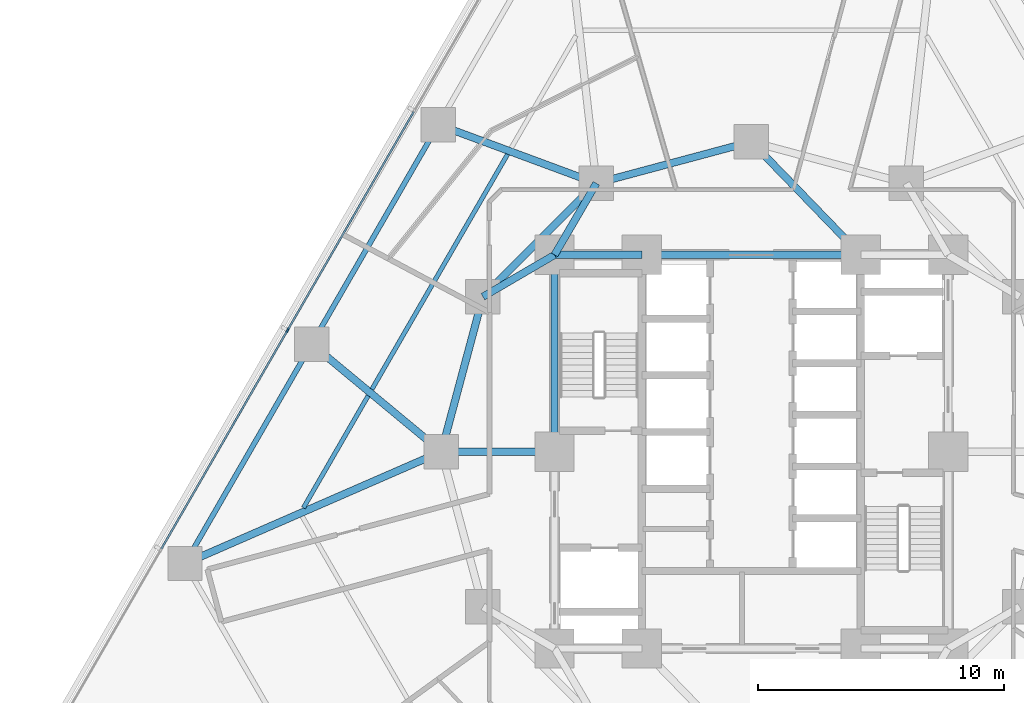
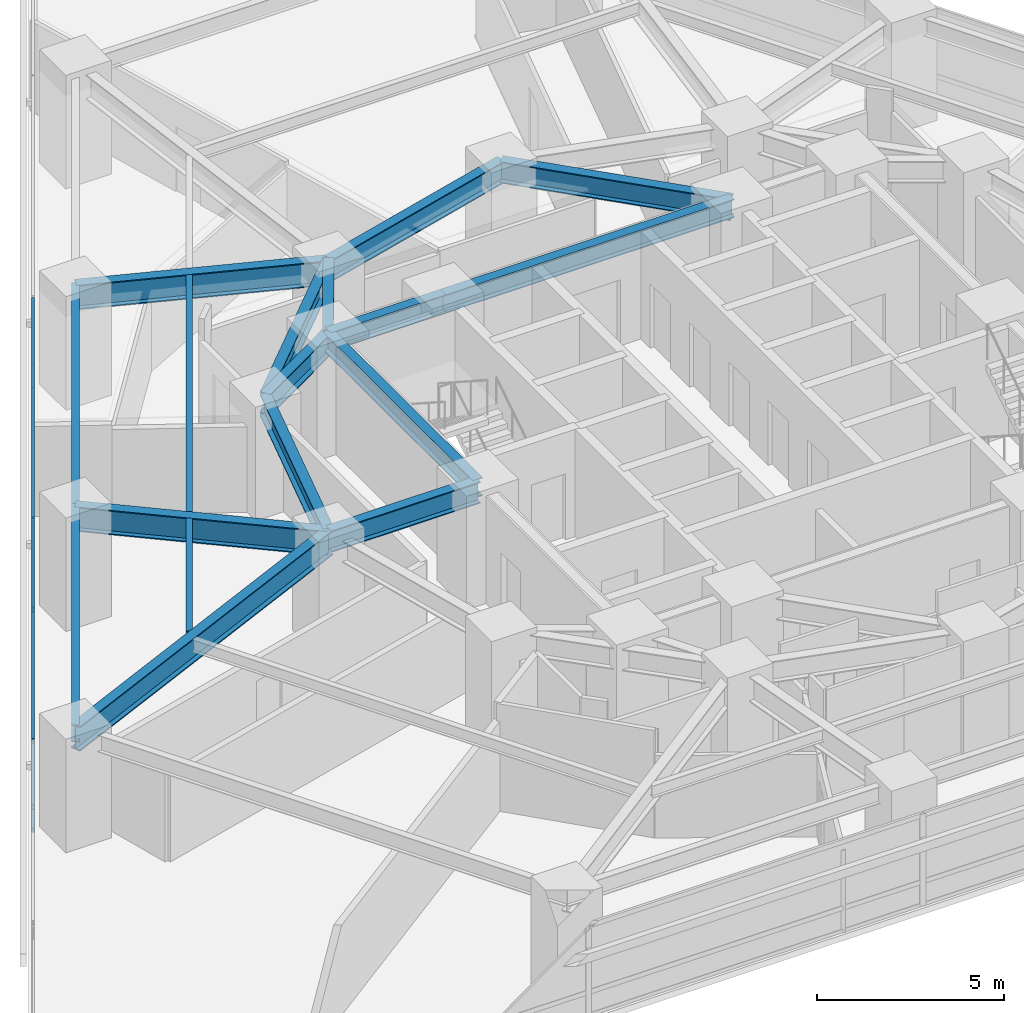
# One storey, part 3 of 16: 17 beams, 7 members, 1 element without a shape of its own.
"""IFC4 building model written with IfcOpenShell, lengths in metres."""

from ifc_helpers import new_model, si_unit, direction, frame, origin, origin_2d, place, context, subcontext, project, spatial, rectangle, i_section, extrude, material, layer, layer_set, material_profile, profile_set, type_object, element, aggregate, save


model = new_model("IFC4")

# Units and contexts
model_context = context("Model", 3, precision=1e-05, world=origin(), true_north=direction((0.0, 1.0)))
body_context = subcontext(model_context, "Body", "Model", "MODEL_VIEW")
ifc_project = project(units=[si_unit("LENGTHUNIT", "METRE"), si_unit("AREAUNIT", "SQUARE_METRE"), si_unit("VOLUMEUNIT", "CUBIC_METRE"), si_unit("PLANEANGLEUNIT", "RADIAN"), si_unit("MASSUNIT", "GRAM", prefix="KILO")], contexts=[model_context])

# Site, building, storey
site_placement = place(None, origin())
site = spatial("IfcSite", under=ifc_project, at=site_placement, CompositionType="ELEMENT")
building_placement = place(site_placement, origin())
building = spatial("IfcBuilding", under=site, at=building_placement, Name="Terralouvre Media Tower", CompositionType="ELEMENT")
storey_placement = place(building_placement, frame((0.0, 0.0, 37.10009765625)))
storey = spatial("IfcBuildingStorey", under=building, at=storey_placement, Name="L08", CompositionType="ELEMENT", Elevation=37.10009765625)

# Beams
ifc_material_1 = material(Name="Structural steel S355J2", Category="steel")
ifc_material_profile_1 = material_profile(ifc_material_1, i_section(OverallWidth=0.179931640625, OverallDepth=0.39990234375, WebThickness=0.008544921875, FlangeThickness=0.013427734375, at=origin_2d()), Name="IPE 400")
ifc_profile_set_1 = profile_set([ifc_material_profile_1], Name="Structural steel S355J2")
beam_type_1 = type_object("IfcBeamType", Name="Composite Floor Joist J-IPE400 (IPE 400)", PredefinedType="JOIST", material=ifc_profile_set_1)
beam_1_placement = place(storey_placement, frame((-9.90869140625, 12.091796875, 3.2998046875), z_axis=(-0.499996323086, -0.866027526641, 0.0), x_axis=(0.866027526641, -0.499996323086, 0.0)))
element("IfcBeam", 1, at=beam_1_placement, inside=storey, type_object=beam_type_1, Name="L08 Framing Beam JT-L08-11", PredefinedType="JOIST", context=body_context, shape_type="SweptSolid", body=[
    extrude(i_section(OverallWidth=0.179931640625, OverallDepth=0.39990234375, WebThickness=0.008544921875, FlangeThickness=0.013427734375, at=origin_2d()), origin(), (0.0, 0.0, 1.0), 11.03466796875),
])
beam_2_placement = place(storey_placement, frame((-15.576171875, 2.275390625, 3.2998046875), z_axis=(-0.500019514865, -0.866014136579, 0.0), x_axis=(0.866014136579, -0.500019514865, 0.0)))
element("IfcBeam", 2, at=beam_2_placement, inside=storey, type_object=beam_type_1, Name="L08 Framing Beam JT-L08-12", PredefinedType="JOIST", context=body_context, shape_type="SweptSolid", body=[
    extrude(i_section(OverallWidth=0.179931640625, OverallDepth=0.39990234375, WebThickness=0.008544921875, FlangeThickness=0.013427734375, at=origin_2d()), origin(), (0.0, 0.0, 1.0), 5.264404296875),
])

# Curtain wall, members
ifc_material_2 = material(Name="Low-iron laminated double glazing with solar-control coating", Category="glass")
ifc_layer = layer(ifc_material_2, 0.1650390625, Name="Lower Media Tower Unitised Curtain Wall CW-02")
ifc_layer_set = layer_set([ifc_layer], Name="Low-iron laminated double glazing with solar-control coating")
curtain_wall_type = type_object("IfcCurtainWallType", Name="Lower Media Tower Unitised Curtain Wall CW-02", PredefinedType="NOTDEFINED", material=ifc_layer_set)
curtain_wall_placement = place(storey_placement, origin())
curtain_wall = element("IfcCurtainWall", 3, at=curtain_wall_placement, inside=storey, type_object=curtain_wall_type, Name="L08 Facade Curtain Wall F2", PredefinedType="NOTDEFINED")
ifc_material_3 = material(Name="Anodised extruded aluminium 6063-T6", Category="aluminium")
ifc_material_profile_2 = material_profile(ifc_material_3, rectangle(XDim=0.074951171875, YDim=0.14990234375, at=origin_2d()), Name="ALU 75x150")
ifc_profile_set_2 = profile_set([ifc_material_profile_2], Name="Anodised extruded aluminium 6063-T6")
member_type_1 = type_object("IfcMemberType", Name="Curtain-Wall Horizontal Transom TR-150", PredefinedType="USERDEFINED", material=ifc_profile_set_2)
member_1_placement = place(storey_placement, frame((-13.72216796875, 13.825927734375, 0.037353515625), z_axis=(-0.50000905659, -0.866020174897, 0.0), x_axis=(0.866020174897, -0.50000905659, 0.0)))
member_1 = element("IfcMember", 4, at=member_1_placement, type_object=member_type_1, Name="CW-02 transom 3.1", ObjectType="TRANSOM", PredefinedType="USERDEFINED", context=body_context, shape_type="SweptSolid", body=[
    extrude(rectangle(XDim=0.074951171875, YDim=0.14990234375, at=origin_2d()), origin(), (0.0, 0.0, 1.0), 10.224853515625),
])
member_2_placement = place(storey_placement, frame((-13.72216796875, 13.825927734375, 0.7998046875), z_axis=(-0.50000905659, -0.866020174897, 0.0), x_axis=(0.866020174897, -0.50000905659, 0.0)))
member_2 = element("IfcMember", 5, at=member_2_placement, type_object=member_type_1, Name="CW-02 transom 3.2", ObjectType="TRANSOM", PredefinedType="USERDEFINED", context=body_context, shape_type="SweptSolid", body=[
    extrude(rectangle(XDim=0.074951171875, YDim=0.14990234375, at=origin_2d()), origin(), (0.0, 0.0, 1.0), 10.224853515625),
])
member_3_placement = place(storey_placement, frame((-13.72216796875, 13.825927734375, 2.96240234375), z_axis=(-0.50000905659, -0.866020174897, 0.0), x_axis=(0.866020174897, -0.50000905659, 0.0)))
member_3 = element("IfcMember", 6, at=member_3_placement, type_object=member_type_1, Name="CW-02 transom 3.3", ObjectType="TRANSOM", PredefinedType="USERDEFINED", context=body_context, shape_type="SweptSolid", body=[
    extrude(rectangle(XDim=0.074951171875, YDim=0.14990234375, at=origin_2d()), origin(), (0.0, 0.0, 1.0), 10.224853515625),
])
member_4_placement = place(storey_placement, frame((-18.872314453125, 4.90576171875, 0.037353515625), z_axis=(-0.499991148707, -0.866030514021, 0.0), x_axis=(0.866030514021, -0.499991148707, 0.0)))
member_4 = element("IfcMember", 7, at=member_4_placement, type_object=member_type_1, Name="CW-02 transom 4.1", ObjectType="TRANSOM", PredefinedType="USERDEFINED", context=body_context, shape_type="SweptSolid", body=[
    extrude(rectangle(XDim=0.074951171875, YDim=0.14990234375, at=origin_2d()), origin(), (0.0, 0.0, 1.0), 10.224853515625),
])
member_5_placement = place(storey_placement, frame((-18.872314453125, 4.90576171875, 0.7998046875), z_axis=(-0.499991148707, -0.866030514021, 0.0), x_axis=(0.866030514021, -0.499991148707, 0.0)))
member_5 = element("IfcMember", 8, at=member_5_placement, type_object=member_type_1, Name="CW-02 transom 4.2", ObjectType="TRANSOM", PredefinedType="USERDEFINED", context=body_context, shape_type="SweptSolid", body=[
    extrude(rectangle(XDim=0.074951171875, YDim=0.14990234375, at=origin_2d()), origin(), (0.0, 0.0, 1.0), 10.224853515625),
])
member_6_placement = place(storey_placement, frame((-18.872314453125, 4.90576171875, 2.96240234375), z_axis=(-0.499991148707, -0.866030514021, 0.0), x_axis=(0.866030514021, -0.499991148707, 0.0)))
member_6 = element("IfcMember", 9, at=member_6_placement, type_object=member_type_1, Name="CW-02 transom 4.3", ObjectType="TRANSOM", PredefinedType="USERDEFINED", context=body_context, shape_type="SweptSolid", body=[
    extrude(rectangle(XDim=0.074951171875, YDim=0.14990234375, at=origin_2d()), origin(), (0.0, 0.0, 1.0), 10.224853515625),
])
ifc_material_4 = material(Name="Anodised extruded aluminium 6063-T6", Category="aluminium")
ifc_material_profile_3 = material_profile(ifc_material_4, rectangle(XDim=0.074951171875, YDim=0.179931640625, at=origin_2d()), Name="ALU 75x180")
ifc_profile_set_3 = profile_set([ifc_material_profile_3], Name="Anodised extruded aluminium 6063-T6")
member_type_2 = type_object("IfcMemberType", Name="Curtain-Wall Vertical Mullion ML-180", PredefinedType="MULLION", material=ifc_profile_set_3)
member_7_placement = place(storey_placement, frame((-18.853515625, 4.938232421875, 0.0), z_axis=(0.0, 0.0, 1.0), x_axis=(0.866025412057, -0.499999985671, 0.0)))
member_7 = element("IfcMember", 10, at=member_7_placement, type_object=member_type_2, Name="CW-02 mullion 4", PredefinedType="MULLION", context=body_context, shape_type="SweptSolid", body=[
    extrude(rectangle(XDim=0.074951171875, YDim=0.179931640625, at=origin_2d()), origin(), (0.0, 0.0, 1.0), 3.0),
])
aggregate(curtain_wall, [member_7, member_1, member_2, member_3, member_4, member_5, member_6])

# Beams
ifc_material_5 = material(Name="Structural steel S355J2", Category="steel")
ifc_material_profile_4 = material_profile(ifc_material_5, i_section(OverallWidth=0.2099609375, OverallDepth=0.550048828125, WebThickness=0.010986328125, FlangeThickness=0.01708984375, at=origin_2d()), Name="IPE 550")
ifc_profile_set_4 = profile_set([ifc_material_profile_4], Name="Structural steel S355J2")
beam_type_2 = type_object("IfcBeamType", Name="Perimeter Spandrel Beam SPB-550 (IPE 550)", PredefinedType="SPANDREL", material=ifc_profile_set_4)
for number, where, z_axis, x_axis, name in (
    (11, (-12.724853515625, 13.29345703125, 3.224853515625), (-0.49998850195, -0.866032042085, 0.0), (0.866032042085, -0.49998850195, 0.0), "L08 Framing Beam BM-L08-PR11"),
    (12, (-17.874755859375, 4.373291015625, 3.224853515625), (-0.500016542852, -0.866015852554, 0.0), (0.866015852554, -0.500016542852, 0.0), "L08 Framing Beam BM-L08-PR12"),
):
    element("IfcBeam", number, at=place(storey_placement, frame(where, z_axis=z_axis, x_axis=x_axis)), inside=storey, type_object=beam_type_2, Name=name, PredefinedType="SPANDREL", context=body_context, shape_type="SweptSolid", body=[
        extrude(i_section(OverallWidth=0.2099609375, OverallDepth=0.550048828125, WebThickness=0.010986328125, FlangeThickness=0.01708984375, at=origin_2d()), origin(), (0.0, 0.0, 1.0), 10.300048828125),
    ])
ifc_material_6 = material(Name="Structural steel S460M", Category="steel")
ifc_material_profile_5 = material_profile(ifc_material_6, i_section(OverallWidth=0.300048828125, OverallDepth=0.60009765625, WebThickness=0.015380859375, FlangeThickness=0.030029296875, at=origin_2d()), Name="HEB 600")
ifc_profile_set_5 = profile_set([ifc_material_profile_5], Name="Structural steel S460M")
beam_type_3 = type_object("IfcBeamType", Name="Primary Floor Girder B-HEB600 (HEB 600)", PredefinedType="BEAM", material=ifc_profile_set_5)
beam_3_placement = place(storey_placement, frame((4.449951171875, 8.0, 3.199951171875), z_axis=(-1.0, 0.0, 0.0), x_axis=(0.0, -1.0, 0.0)))
element("IfcBeam", 13, at=beam_3_placement, inside=storey, type_object=beam_type_3, Name="L08 Framing Beam BM-L08-CPR07", PredefinedType="BEAM", context=body_context, shape_type="SweptSolid", body=[
    extrude(i_section(OverallWidth=0.300048828125, OverallDepth=0.60009765625, WebThickness=0.015380859375, FlangeThickness=0.030029296875, at=origin_2d()), origin(), (0.0, 0.0, 1.0), 8.89990234375),
])
beam_4_placement = place(storey_placement, frame((-4.449951171875, 8.0, 3.199951171875), z_axis=(-1.0, 0.0, 0.0), x_axis=(0.0, -1.0, 0.0)))
element("IfcBeam", 14, at=beam_4_placement, inside=storey, type_object=beam_type_3, Name="L08 Framing Beam BM-L08-CPR08", PredefinedType="BEAM", context=body_context, shape_type="SweptSolid", body=[
    extrude(i_section(OverallWidth=0.300048828125, OverallDepth=0.60009765625, WebThickness=0.015380859375, FlangeThickness=0.030029296875, at=origin_2d()), origin(), (0.0, 0.0, 1.0), 3.550048828125),
])
beam_5_placement = place(storey_placement, frame((-8.0, 8.0, 3.199951171875), z_axis=(0.0, -1.0, 0.0), x_axis=(1.0, 0.0, 0.0)))
element("IfcBeam", 15, at=beam_5_placement, inside=storey, type_object=beam_type_3, Name="L08 Framing Beam BM-L08-CPR09", PredefinedType="BEAM", context=body_context, shape_type="SweptSolid", body=[
    extrude(i_section(OverallWidth=0.300048828125, OverallDepth=0.60009765625, WebThickness=0.015380859375, FlangeThickness=0.030029296875, at=origin_2d()), origin(), (0.0, 0.0, 1.0), 8.0),
])
ifc_material_7 = material(Name="Structural steel S460M", Category="steel")
ifc_material_profile_6 = material_profile(ifc_material_7, i_section(OverallWidth=0.300048828125, OverallDepth=0.699951171875, WebThickness=0.01708984375, FlangeThickness=0.031982421875, at=origin_2d()), Name="HEB 700")
ifc_profile_set_6 = profile_set([ifc_material_profile_6], Name="Structural steel S460M")
beam_type_4 = type_object("IfcBeamType", Name="Primary Floor Girder B-HEB700 (HEB 700)", PredefinedType="BEAM", material=ifc_profile_set_6)
beam_6_placement = place(storey_placement, frame((0.0, 12.60009765625, 3.14990234375), z_axis=(-0.965920481897, -0.258838989821, 0.0), x_axis=(0.258838989821, -0.965920481897, 0.0)))
element("IfcBeam", 16, at=beam_6_placement, inside=storey, type_object=beam_type_4, Name="L08 Framing Beam BM-L08-MR09", PredefinedType="BEAM", context=body_context, shape_type="SweptSolid", body=[
    extrude(i_section(OverallWidth=0.300048828125, OverallDepth=0.699951171875, WebThickness=0.01708984375, FlangeThickness=0.031982421875, at=origin_2d()), origin(), (0.0, 0.0, 1.0), 6.522216796875),
])
beam_7_placement = place(storey_placement, frame((-6.300048828125, 10.911865234375, 3.14990234375), z_axis=(-0.707106781187, -0.707106781187, 0.0), x_axis=(0.707106781187, -0.707106781187, 0.0)))
element("IfcBeam", 17, at=beam_7_placement, inside=storey, type_object=beam_type_4, Name="L08 Framing Beam BM-L08-MR10", PredefinedType="BEAM", context=body_context, shape_type="SweptSolid", body=[
    extrude(i_section(OverallWidth=0.300048828125, OverallDepth=0.699951171875, WebThickness=0.01708984375, FlangeThickness=0.031982421875, at=origin_2d()), origin(), (0.0, 0.0, 1.0), 6.52197265625),
])
beam_8_placement = place(storey_placement, frame((-10.911865234375, 6.300048828125, 3.14990234375), z_axis=(-0.258838989821, -0.965920481897, 0.0), x_axis=(0.965920481897, -0.258838989821, 0.0)))
element("IfcBeam", 18, at=beam_8_placement, inside=storey, type_object=beam_type_4, Name="L08 Framing Beam BM-L08-MR11", PredefinedType="BEAM", context=body_context, shape_type="SweptSolid", body=[
    extrude(i_section(OverallWidth=0.300048828125, OverallDepth=0.699951171875, WebThickness=0.01708984375, FlangeThickness=0.031982421875, at=origin_2d()), origin(), (0.0, 0.0, 1.0), 6.522216796875),
])
beam_9_placement = place(storey_placement, frame((4.449951171875, 8.0, 3.14990234375), z_axis=(-0.695279715726, 0.718739255155, 0.0), x_axis=(-0.718739255155, -0.695279715726, 0.0)))
element("IfcBeam", 19, at=beam_9_placement, inside=storey, type_object=beam_type_4, Name="L08 Framing Beam BM-L08-CM09", PredefinedType="BEAM", context=body_context, shape_type="SweptSolid", body=[
    extrude(i_section(OverallWidth=0.300048828125, OverallDepth=0.699951171875, WebThickness=0.01708984375, FlangeThickness=0.031982421875, at=origin_2d()), origin(), (0.0, 0.0, 1.0), 6.400146484375),
])
for number, where, z_axis, x_axis, name in (
    (20, (-8.0, 8.0, 3.14990234375), (0.504172629717, 0.863602894532, 0.0), (-0.863602894532, 0.504172629717, 0.0), "L08 Framing Beam BM-L08-CM10"),
    (21, (-8.0, 8.0, 3.14990234375), (-0.863602894532, -0.504172629717, 0.0), (0.504172629717, -0.863602894532, 0.0), "L08 Framing Beam BM-L08-CM11"),
):
    element("IfcBeam", number, at=place(storey_placement, frame(where, z_axis=z_axis, x_axis=x_axis)), inside=storey, type_object=beam_type_4, Name=name, PredefinedType="BEAM", context=body_context, shape_type="SweptSolid", body=[
        extrude(i_section(OverallWidth=0.300048828125, OverallDepth=0.699951171875, WebThickness=0.01708984375, FlangeThickness=0.031982421875, at=origin_2d()), origin(), (0.0, 0.0, 1.0), 3.371826171875),
    ])
beam_10_placement = place(storey_placement, frame((-8.0, 0.0, 3.14990234375), z_axis=(-1.0, 0.0, 0.0), x_axis=(0.0, -1.0, 0.0)))
element("IfcBeam", 22, at=beam_10_placement, inside=storey, type_object=beam_type_4, Name="L08 Framing Beam BM-L08-CM12", PredefinedType="BEAM", context=body_context, shape_type="SweptSolid", body=[
    extrude(i_section(OverallWidth=0.300048828125, OverallDepth=0.699951171875, WebThickness=0.01708984375, FlangeThickness=0.031982421875, at=origin_2d()), origin(), (0.0, 0.0, 1.0), 4.60009765625),
])
ifc_material_8 = material(Name="Structural steel S460M", Category="steel")
ifc_material_profile_7 = material_profile(ifc_material_8, i_section(OverallWidth=0.300048828125, OverallDepth=0.800048828125, WebThickness=0.017578125, FlangeThickness=0.032958984375, at=origin_2d()), Name="HEB 800")
ifc_profile_set_7 = profile_set([ifc_material_profile_7], Name="Structural steel S460M")
beam_type_5 = type_object("IfcBeamType", Name="Primary Floor Girder B-HEB800 (HEB 800)", PredefinedType="BEAM", material=ifc_profile_set_7)
beam_11_placement = place(storey_placement, frame((-12.60009765625, 0.0, 3.099853515625), z_axis=(-0.916615903868, -0.399769039291, 0.0), x_axis=(0.399769039291, -0.916615903868, 0.0)))
element("IfcBeam", 23, at=beam_11_placement, inside=storey, type_object=beam_type_5, Name="L08 Framing Beam BM-L08-RD01", PredefinedType="BEAM", context=body_context, shape_type="SweptSolid", body=[
    extrude(i_section(OverallWidth=0.300048828125, OverallDepth=0.800048828125, WebThickness=0.017578125, FlangeThickness=0.032958984375, at=origin_2d()), origin(), (0.0, 0.0, 1.0), 11.373046875),
])
beam_12_placement = place(storey_placement, frame((-6.300048828125, 10.911865234375, 3.099853515625), z_axis=(-0.937652019179, 0.347575446386, 0.0), x_axis=(-0.347575446386, -0.937652019179, 0.0)))
element("IfcBeam", 24, at=beam_12_placement, inside=storey, type_object=beam_type_5, Name="L08 Framing Beam BM-L08-RD11", PredefinedType="BEAM", context=body_context, shape_type="SweptSolid", body=[
    extrude(i_section(OverallWidth=0.300048828125, OverallDepth=0.800048828125, WebThickness=0.017578125, FlangeThickness=0.032958984375, at=origin_2d()), origin(), (0.0, 0.0, 1.0), 6.85205078125),
])
beam_13_placement = place(storey_placement, frame((-12.60009765625, 0.0, 3.099853515625), z_axis=(-0.769816459478, 0.638265320001, 0.0), x_axis=(-0.638265320001, -0.769816459478, 0.0)))
element("IfcBeam", 25, at=beam_13_placement, inside=storey, type_object=beam_type_5, Name="L08 Framing Beam BM-L08-RD12", PredefinedType="BEAM", context=body_context, shape_type="SweptSolid", body=[
    extrude(i_section(OverallWidth=0.300048828125, OverallDepth=0.800048828125, WebThickness=0.017578125, FlangeThickness=0.032958984375, at=origin_2d()), origin(), (0.0, 0.0, 1.0), 6.851806640625),
])

save(model, "model.ifc")
